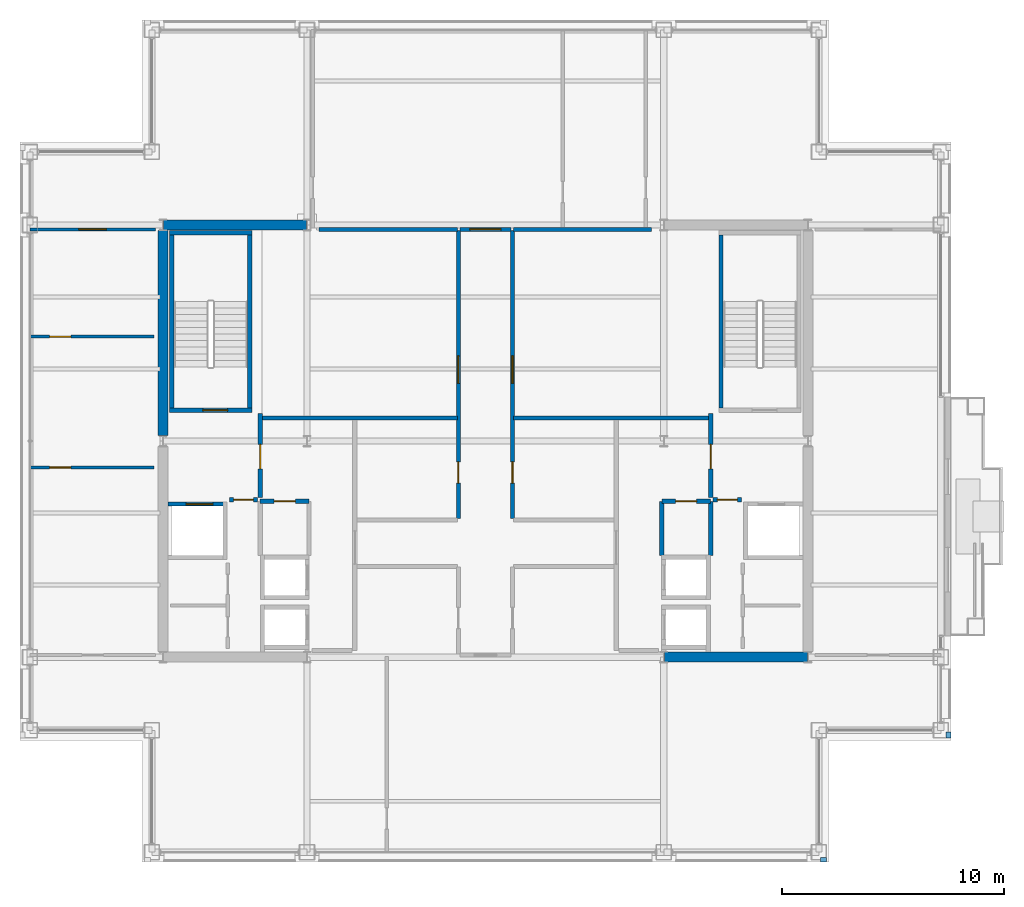
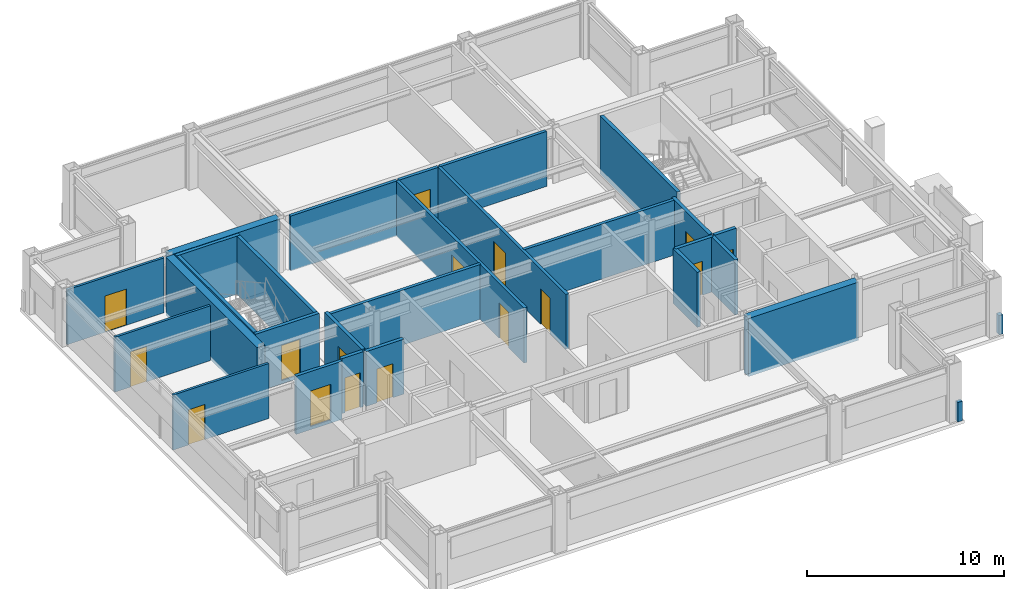
# One storey, part 25 of 28: 29 walls, 16 doors, 16 openings.
"""IFC4 building model written with IfcOpenShell, lengths in metres."""

from ifc_helpers import new_model, si_unit, direction, frame, frame_2d, origin, place, context, subcontext, project, spatial, rectangle, extrude, material, layer, layer_set, type_object, element, fill, save


model = new_model("IFC4")

# Units and contexts
model_context = context("Model", 3, precision=1e-05, world=origin(), true_north=direction((0.0, 1.0)))
body_context = subcontext(model_context, "Body", "Model", "MODEL_VIEW")
ifc_project = project(units=[si_unit("LENGTHUNIT", "METRE"), si_unit("AREAUNIT", "SQUARE_METRE"), si_unit("VOLUMEUNIT", "CUBIC_METRE"), si_unit("PLANEANGLEUNIT", "RADIAN"), si_unit("MASSUNIT", "GRAM", prefix="KILO")], contexts=[model_context])

# Site, building, storey
site_placement = place(None, origin())
site = spatial("IfcSite", under=ifc_project, at=site_placement, CompositionType="ELEMENT")
building_placement = place(site_placement, origin())
building = spatial("IfcBuilding", under=site, at=building_placement, Name="Brelmoor Portico Tower", CompositionType="ELEMENT")
storey_placement = place(building_placement, frame((0.0, 0.0, 191.10009765625)))
storey = spatial("IfcBuildingStorey", under=building, at=storey_placement, Name="L50", CompositionType="ELEMENT", Elevation=191.10009765625)

# Walls
ifc_material_1 = material(Name="Concrete C50", Category="concrete")
ifc_layer_1 = layer(ifc_material_1, 0.449951171875)
ifc_layer_set_1 = layer_set([ifc_layer_1], Name="Concrete C50")
wall_type_1 = type_object("IfcWallType", Name="WL-CORE-450", PredefinedType="SHEAR", material=ifc_layer_set_1)
wall_1_placement = place(storey_placement, frame((-14.530029296875, 9.75, -0.2001953125), z_axis=(0.0, 0.0, 1.0), x_axis=(1.0, 0.0, 0.0)))
element("IfcWall", 1, at=wall_1_placement, inside=storey, type_object=wall_type_1, Name="L50 WC North Shear Wall", PredefinedType="SHEAR", context=body_context, shape_type="SweptSolid", body=[
    extrude(rectangle(XDim=6.4599609375, YDim=0.449951171875, at=frame_2d((3.22998046875, 0.0))), origin(), (0.0, 0.0, 1.0), 3.60009765625),
])
wall_2_placement = place(storey_placement, frame((-14.550048828125, 0.25, -0.2001953125), z_axis=(0.0, 0.0, 1.0), x_axis=(0.0, 1.0, 0.0)))
element("IfcWall", 2, at=wall_2_placement, inside=storey, type_object=wall_type_1, Name="L50 WC Outer North Shear Wall", PredefinedType="SHEAR", context=body_context, shape_type="SweptSolid", body=[
    extrude(rectangle(XDim=9.25, YDim=0.449951171875, at=frame_2d((4.625, 0.0))), origin(), (0.0, 0.0, 1.0), 3.60009765625),
])
wall_3_placement = place(storey_placement, frame((8.070068359375, -9.75, -0.2001953125), z_axis=(0.0, 0.0, 1.0), x_axis=(1.0, 0.0, 0.0)))
element("IfcWall", 3, at=wall_3_placement, inside=storey, type_object=wall_type_1, Name="L50 EC South Shear Wall", PredefinedType="SHEAR", context=body_context, shape_type="SweptSolid", body=[
    extrude(rectangle(XDim=6.4599609375, YDim=0.449951171875, at=frame_2d((3.22998046875, 0.0))), origin(), (0.0, 0.0, 1.0), 3.60009765625),
])
ifc_material_2 = material(Name="Concrete C40 Parapet Upstand", Category="concrete")
ifc_layer_2 = layer(ifc_material_2, 0.219970703125)
ifc_layer_set_2 = layer_set([ifc_layer_2], Name="Concrete C40 Parapet Upstand")
wall_type_2 = type_object("IfcWallType", Name="WL-PARAPET-220", PredefinedType="PARAPET", material=ifc_layer_set_2)
for number, where, z_axis, x_axis, name in (
    (4, (15.1201171875, -18.889892578125, 0.0), (0.0, 0.0, 1.0), (1.0, 0.0, 0.0), "L50 Chamfer Vertex Parapet Pier SE1"),
    (5, (20.889892578125, -13.389892578125, 0.0), (0.0, 0.0, 1.0), (0.0, 1.0, 0.0), "L50 Chamfer Vertex Parapet Pier SE2"),
):
    element("IfcWall", number, at=place(storey_placement, frame(where, z_axis=z_axis, x_axis=x_axis)), inside=storey, type_object=wall_type_2, Name=name, PredefinedType="PARAPET", context=body_context, shape_type="SweptSolid", body=[
        extrude(rectangle(XDim=0.269775390625, YDim=0.219970703125, at=frame_2d((0.134765625, 0.0))), origin(), (0.0, 0.0, 1.0), 1.199951171875),
    ])

# Wall, opening, door
ifc_material_3 = material(Name="Insulated Stud Suite Partition", Category="gypsum")
ifc_layer_3 = layer(ifc_material_3, 0.139892578125)
ifc_layer_set_3 = layer_set([ifc_layer_3], Name="Insulated Stud Suite Partition")
wall_type_3 = type_object("IfcWallType", Name="WL-PART-140", PredefinedType="PARTITIONING", material=ifc_layer_set_3)
wall_4_placement = place(storey_placement, frame((-20.56005859375, 9.550048828125, 0.0), z_axis=(0.0, 0.0, 1.0), x_axis=(1.0, 0.0, 0.0)))
wall_4 = element("IfcWall", 6, at=wall_4_placement, inside=storey, type_object=wall_type_3, Name="L50 North Wing Suite Wall WL", PredefinedType="PARTITIONING", context=body_context, shape_type="SweptSolid", body=[
    extrude(rectangle(XDim=5.68017578125, YDim=0.139892578125, at=frame_2d((2.840087890625, 0.0))), origin(), (0.0, 0.0, 1.0), 3.39990234375),
])
opening_1_placement = place(wall_4_placement, frame((2.219970703125, 0.0, 0.0)))
opening_1 = element("IfcOpeningElement", 7, at=opening_1_placement, cuts=wall_4, Name="Opening D-SU1", PredefinedType="OPENING", context=body_context, shape_type="SweptSolid", body=[
    extrude(rectangle(XDim=1.239990234375, YDim=2.239990234375, at=frame_2d((0.6201171875, 1.1201171875))), frame((0.0, 0.079833984375, 0.0), z_axis=(0.0, -1.0, 0.0), x_axis=(1.0, 0.0, 0.0)), (0.0, 0.0, 1.0), 0.159912109375),
])
ifc_material_4 = material(Name="Glazed Timber Executive Suite Door", Category="wood")
door_type_1 = type_object("IfcDoorType", Name="DR-SUITE-1200", OperationType="NOTDEFINED", PredefinedType="DOOR", material=ifc_material_4)
door_1_placement = place(opening_1_placement, origin())
door_1 = element("IfcDoor", 8, at=door_1_placement, inside=storey, type_object=door_type_1, Name="D-2125 L50 WL Wing Suite Connecting Door", OperationType="SINGLE_SWING_LEFT", OverallHeight=2.239990234375, OverallWidth=1.239990234375, PredefinedType="DOOR", context=body_context, shape_type="SweptSolid", body=[
    extrude(rectangle(XDim=1.239990234375, YDim=2.239990234375, at=frame_2d((0.6201171875, 1.1201171875))), frame((0.0, 0.02490234375, 0.0), z_axis=(0.0, -1.0, 0.0), x_axis=(1.0, 0.0, 0.0)), (0.0, 0.0, 1.0), 0.050048828125),
])
fill(opening_1, door_1)

wall_5_placement = place(storey_placement, frame((-20.56005859375, -1.1923828125, 0.0), z_axis=(0.0, 0.0, 1.0), x_axis=(1.0, 0.0, 0.0)))
wall_5 = element("IfcWall", 9, at=wall_5_placement, inside=storey, type_object=wall_type_3, Name="L50 W Wing Partition 1", PredefinedType="PARTITIONING", context=body_context, shape_type="SweptSolid", body=[
    extrude(rectangle(XDim=5.60009765625, YDim=0.139892578125, at=frame_2d((2.800048828125, 0.0))), origin(), (0.0, 0.0, 1.0), 3.39990234375),
])
opening_2_placement = place(wall_5_placement, frame((0.89990234375, 0.0, 0.0)))
opening_2 = element("IfcOpeningElement", 10, at=opening_2_placement, cuts=wall_5, Name="Opening D-IN2", PredefinedType="OPENING", context=body_context, shape_type="SweptSolid", body=[
    extrude(rectangle(XDim=0.9599609375, YDim=2.179931640625, at=frame_2d((0.47998046875, 1.08984375))), frame((0.0, 0.079833984375, 0.0), z_axis=(0.0, -1.0, 0.0), x_axis=(1.0, 0.0, 0.0)), (0.0, 0.0, 1.0), 0.159912109375),
])
ifc_material_5 = material(Name="Lacquered Timber Suite Door", Category="wood")
door_type_2 = type_object("IfcDoorType", Name="DR-INT-950", OperationType="NOTDEFINED", PredefinedType="DOOR", material=ifc_material_5)
door_2_placement = place(opening_2_placement, origin())
door_2 = element("IfcDoor", 11, at=door_2_placement, inside=storey, type_object=door_type_2, Name="D-2133 L50 W Wing Suite Connecting Door 1", OperationType="SINGLE_SWING_LEFT", OverallHeight=2.179931640625, OverallWidth=0.9599609375, PredefinedType="DOOR", context=body_context, shape_type="SweptSolid", body=[
    extrude(rectangle(XDim=0.9599609375, YDim=2.179931640625, at=frame_2d((0.47998046875, 1.08984375))), frame((0.0, 0.02490234375, 0.0), z_axis=(0.0, -1.0, 0.0), x_axis=(1.0, 0.0, 0.0)), (0.0, 0.0, 1.0), 0.050048828125),
])
fill(opening_2, door_2)

wall_6_placement = place(storey_placement, frame((-20.56005859375, 4.7099609375, 0.0), z_axis=(0.0, 0.0, 1.0), x_axis=(1.0, 0.0, 0.0)))
wall_6 = element("IfcWall", 12, at=wall_6_placement, inside=storey, type_object=wall_type_3, Name="L50 W Wing Partition 2", PredefinedType="PARTITIONING", context=body_context, shape_type="SweptSolid", body=[
    extrude(rectangle(XDim=5.60009765625, YDim=0.139892578125, at=frame_2d((2.800048828125, 0.0))), origin(), (0.0, 0.0, 1.0), 3.39990234375),
])
opening_3_placement = place(wall_6_placement, frame((0.89990234375, 0.0, 0.0)))
opening_3 = element("IfcOpeningElement", 13, at=opening_3_placement, cuts=wall_6, Name="Opening D-IN2", PredefinedType="OPENING", context=body_context, shape_type="SweptSolid", body=[
    extrude(rectangle(XDim=0.9599609375, YDim=2.179931640625, at=frame_2d((0.47998046875, 1.08984375))), frame((0.0, 0.079833984375, 0.0), z_axis=(0.0, -1.0, 0.0), x_axis=(1.0, 0.0, 0.0)), (0.0, 0.0, 1.0), 0.159912109375),
])
door_3_placement = place(opening_3_placement, origin())
door_3 = element("IfcDoor", 14, at=door_3_placement, inside=storey, type_object=door_type_2, Name="D-2134 L50 W Wing Suite Connecting Door 2", OperationType="SINGLE_SWING_RIGHT", OverallHeight=2.179931640625, OverallWidth=0.9599609375, PredefinedType="DOOR", context=body_context, shape_type="SweptSolid", body=[
    extrude(rectangle(XDim=0.9599609375, YDim=2.179931640625, at=frame_2d((0.47998046875, 1.08984375))), frame((0.0, 0.02490234375, 0.0), z_axis=(0.0, -1.0, 0.0), x_axis=(1.0, 0.0, 0.0)), (0.0, 0.0, 1.0), 0.050048828125),
])
fill(opening_3, door_3)

# Wall
ifc_material_6 = material(Name="Acoustic Corridor Fire Partition", Category="gypsum")
ifc_layer_4 = layer(ifc_material_6, 0.179931640625)
ifc_layer_set_4 = layer_set([ifc_layer_4], Name="Acoustic Corridor Fire Partition")
wall_type_4 = type_object("IfcWallType", Name="WL-PART-180", PredefinedType="PARTITIONING", material=ifc_layer_set_4)
wall_7_placement = place(storey_placement, frame((-10.050048828125, 1.050048828125, 0.0), z_axis=(0.0, 0.0, 1.0), x_axis=(1.0, 0.0, 0.0)))
element("IfcWall", 15, at=wall_7_placement, inside=storey, type_object=wall_type_4, Name="L50 West Reclaimed Suite South Wall", PredefinedType="PARTITIONING", context=body_context, shape_type="SweptSolid", body=[
    extrude(rectangle(XDim=8.7900390625, YDim=0.179931640625, at=frame_2d((4.39501953125, 0.0))), origin(), (0.0, 0.0, 1.0), 3.39990234375),
])

# Wall, openings, doors
wall_8_placement = place(storey_placement, frame((-1.219970703125, -3.5, 0.0), z_axis=(0.0, 0.0, 1.0), x_axis=(0.0, 1.0, 0.0)))
wall_8 = element("IfcWall", 16, at=wall_8_placement, inside=storey, type_object=wall_type_4, Name="L50 Central Cross West Wall", PredefinedType="PARTITIONING", context=body_context, shape_type="SweptSolid", body=[
    extrude(rectangle(XDim=13.010009765625, YDim=0.179931640625, at=frame_2d((6.5048828125, 0.0))), origin(), (0.0, 0.0, 1.0), 3.39990234375),
])
opening_4_placement = place(wall_8_placement, frame((6.10009765625, 0.0, 0.0)))
opening_4 = element("IfcOpeningElement", 17, at=opening_4_placement, cuts=wall_8, Name="Opening D-SU1", PredefinedType="OPENING", context=body_context, shape_type="SweptSolid", body=[
    extrude(rectangle(XDim=1.239990234375, YDim=2.239990234375, at=frame_2d((0.6201171875, 1.1201171875))), frame((0.0, 0.099853515625, 0.0), z_axis=(0.0, -1.0, 0.0), x_axis=(1.0, 0.0, 0.0)), (0.0, 0.0, 1.0), 0.199951171875),
])
opening_5_placement = place(wall_8_placement, frame((1.60009765625, 0.0, 0.0)))
opening_5 = element("IfcOpeningElement", 18, at=opening_5_placement, cuts=wall_8, Name="Opening D-IN2", PredefinedType="OPENING", context=body_context, shape_type="SweptSolid", body=[
    extrude(rectangle(XDim=0.9599609375, YDim=2.179931640625, at=frame_2d((0.47998046875, 1.08984375))), frame((0.0, 0.099853515625, 0.0), z_axis=(0.0, -1.0, 0.0), x_axis=(1.0, 0.0, 0.0)), (0.0, 0.0, 1.0), 0.199951171875),
])
door_4_placement = place(opening_5_placement, origin())
door_4 = element("IfcDoor", 19, at=door_4_placement, inside=storey, type_object=door_type_2, Name="D-2106 L50 Staff Pantry Door", OperationType="SINGLE_SWING_LEFT", OverallHeight=2.179931640625, OverallWidth=0.9599609375, PredefinedType="DOOR", context=body_context, shape_type="SweptSolid", body=[
    extrude(rectangle(XDim=0.9599609375, YDim=2.179931640625, at=frame_2d((0.47998046875, 1.08984375))), frame((0.0, 0.02490234375, 0.0), z_axis=(0.0, -1.0, 0.0), x_axis=(1.0, 0.0, 0.0)), (0.0, 0.0, 1.0), 0.050048828125),
])
fill(opening_5, door_4)
door_5_placement = place(opening_4_placement, origin())
door_5 = element("IfcDoor", 20, at=door_5_placement, inside=storey, type_object=door_type_1, Name="D-2107 L50 West Reclaimed Studio Door", OperationType="SINGLE_SWING_RIGHT", OverallHeight=2.239990234375, OverallWidth=1.239990234375, PredefinedType="DOOR", context=body_context, shape_type="SweptSolid", body=[
    extrude(rectangle(XDim=1.239990234375, YDim=2.239990234375, at=frame_2d((0.6201171875, 1.1201171875))), frame((0.0, 0.02490234375, 0.0), z_axis=(0.0, -1.0, 0.0), x_axis=(1.0, 0.0, 0.0)), (0.0, 0.0, 1.0), 0.050048828125),
])
fill(opening_4, door_5)

# Walls
wall_9_placement = place(storey_placement, frame((-7.5, 9.550048828125, 0.0), z_axis=(0.0, 0.0, 1.0), x_axis=(1.0, 0.0, 0.0)))
element("IfcWall", 21, at=wall_9_placement, inside=storey, type_object=wall_type_4, Name="L50 West Reclaimed Suite North Wall", PredefinedType="PARTITIONING", context=body_context, shape_type="SweptSolid", body=[
    extrude(rectangle(XDim=6.239990234375, YDim=0.179931640625, at=frame_2d((3.1201171875, 0.0))), origin(), (0.0, 0.0, 1.0), 3.39990234375),
])
wall_10_placement = place(storey_placement, frame((1.260009765625, 1.050048828125, 0.0), z_axis=(0.0, 0.0, 1.0), x_axis=(1.0, 0.0, 0.0)))
element("IfcWall", 22, at=wall_10_placement, inside=storey, type_object=wall_type_4, Name="L50 East Suite South Wall", PredefinedType="PARTITIONING", context=body_context, shape_type="SweptSolid", body=[
    extrude(rectangle(XDim=8.800048828125, YDim=0.179931640625, at=frame_2d((4.39990234375, 0.0))), origin(), (0.0, 0.0, 1.0), 3.39990234375),
])

# Wall, openings, doors
wall_11_placement = place(storey_placement, frame((1.219970703125, -3.5, 0.0), z_axis=(0.0, 0.0, 1.0), x_axis=(0.0, 1.0, 0.0)))
wall_11 = element("IfcWall", 23, at=wall_11_placement, inside=storey, type_object=wall_type_4, Name="L50 Central Cross East Wall", PredefinedType="PARTITIONING", context=body_context, shape_type="SweptSolid", body=[
    extrude(rectangle(XDim=13.010009765625, YDim=0.179931640625, at=frame_2d((6.5048828125, 0.0))), origin(), (0.0, 0.0, 1.0), 3.39990234375),
])
opening_6_placement = place(wall_11_placement, frame((6.10009765625, 0.0, 0.0)))
opening_6 = element("IfcOpeningElement", 24, at=opening_6_placement, cuts=wall_11, Name="Opening D-SU1", PredefinedType="OPENING", context=body_context, shape_type="SweptSolid", body=[
    extrude(rectangle(XDim=1.239990234375, YDim=2.239990234375, at=frame_2d((0.6201171875, 1.1201171875))), frame((0.0, 0.099853515625, 0.0), z_axis=(0.0, -1.0, 0.0), x_axis=(1.0, 0.0, 0.0)), (0.0, 0.0, 1.0), 0.199951171875),
])
opening_7_placement = place(wall_11_placement, frame((1.60009765625, 0.0, 0.0)))
opening_7 = element("IfcOpeningElement", 25, at=opening_7_placement, cuts=wall_11, Name="Opening D-IN2", PredefinedType="OPENING", context=body_context, shape_type="SweptSolid", body=[
    extrude(rectangle(XDim=0.9599609375, YDim=2.179931640625, at=frame_2d((0.47998046875, 1.08984375))), frame((0.0, 0.099853515625, 0.0), z_axis=(0.0, -1.0, 0.0), x_axis=(1.0, 0.0, 0.0)), (0.0, 0.0, 1.0), 0.199951171875),
])
door_6_placement = place(opening_7_placement, origin())
door_6 = element("IfcDoor", 26, at=door_6_placement, inside=storey, type_object=door_type_2, Name="D-2102 L50 Client Project Office Door", OperationType="SINGLE_SWING_LEFT", OverallHeight=2.179931640625, OverallWidth=0.9599609375, PredefinedType="DOOR", context=body_context, shape_type="SweptSolid", body=[
    extrude(rectangle(XDim=0.9599609375, YDim=2.179931640625, at=frame_2d((0.47998046875, 1.08984375))), frame((0.0, 0.02490234375, 0.0), z_axis=(0.0, -1.0, 0.0), x_axis=(1.0, 0.0, 0.0)), (0.0, 0.0, 1.0), 0.050048828125),
])
fill(opening_7, door_6)
door_7_placement = place(opening_6_placement, origin())
door_7 = element("IfcDoor", 27, at=door_7_placement, inside=storey, type_object=door_type_1, Name="D-2103 L50 East Reclaimed Studio Door", OperationType="SINGLE_SWING_RIGHT", OverallHeight=2.239990234375, OverallWidth=1.239990234375, PredefinedType="DOOR", context=body_context, shape_type="SweptSolid", body=[
    extrude(rectangle(XDim=1.239990234375, YDim=2.239990234375, at=frame_2d((0.6201171875, 1.1201171875))), frame((0.0, 0.02490234375, 0.0), z_axis=(0.0, -1.0, 0.0), x_axis=(1.0, 0.0, 0.0)), (0.0, 0.0, 1.0), 0.050048828125),
])
fill(opening_6, door_7)

# Wall
wall_12_placement = place(storey_placement, frame((1.260009765625, 9.550048828125, 0.0), z_axis=(0.0, 0.0, 1.0), x_axis=(1.0, 0.0, 0.0)))
element("IfcWall", 28, at=wall_12_placement, inside=storey, type_object=wall_type_4, Name="L50 East Suite North Wall", PredefinedType="PARTITIONING", context=body_context, shape_type="SweptSolid", body=[
    extrude(rectangle(XDim=6.239990234375, YDim=0.179931640625, at=frame_2d((3.1201171875, 0.0))), origin(), (0.0, 0.0, 1.0), 3.39990234375),
])

# Wall, opening, door
wall_13_placement = place(storey_placement, frame((-1.14990234375, 9.550048828125, 0.0), z_axis=(0.0, 0.0, 1.0), x_axis=(1.0, 0.0, 0.0)))
wall_13 = element("IfcWall", 29, at=wall_13_placement, inside=storey, type_object=wall_type_4, Name="L50 North Corridor Partition", PredefinedType="PARTITIONING", context=body_context, shape_type="SweptSolid", body=[
    extrude(rectangle(XDim=2.2998046875, YDim=0.179931640625, at=frame_2d((1.14990234375, 0.0))), origin(), (0.0, 0.0, 1.0), 3.39990234375),
])
opening_8_placement = place(wall_13_placement, frame((0.449951171875, 0.0, 0.0)))
opening_8 = element("IfcOpeningElement", 30, at=opening_8_placement, cuts=wall_13, Name="Opening D-SU2", PredefinedType="OPENING", context=body_context, shape_type="SweptSolid", body=[
    extrude(rectangle(XDim=1.39990234375, YDim=2.199951171875, at=frame_2d((0.699951171875, 1.10009765625))), frame((0.0, 0.099853515625, 0.0), z_axis=(0.0, -1.0, 0.0), x_axis=(1.0, 0.0, 0.0)), (0.0, 0.0, 1.0), 0.199951171875),
])
ifc_material_7 = material(Name="Double-Leaf Acoustic Suite Door", Category="timber")
door_type_3 = type_object("IfcDoorType", Name="DR-SUITE-1400", OperationType="NOTDEFINED", PredefinedType="DOOR", material=ifc_material_7)
door_8_placement = place(opening_8_placement, origin())
door_8 = element("IfcDoor", 31, at=door_8_placement, inside=storey, type_object=door_type_3, Name="D-2120 L50 North Technical Archive Store 2 Door", OperationType="DOUBLE_DOOR_SINGLE_SWING", OverallHeight=2.199951171875, OverallWidth=1.39990234375, PredefinedType="DOOR", context=body_context, shape_type="SweptSolid", body=[
    extrude(rectangle(XDim=1.39990234375, YDim=2.199951171875, at=frame_2d((0.699951171875, 1.10009765625))), frame((0.0, 0.02490234375, 0.0), z_axis=(0.0, -1.0, 0.0), x_axis=(1.0, 0.0, 0.0)), (0.0, 0.0, 1.0), 0.050048828125),
])
fill(opening_8, door_8)

ifc_material_8 = material(Name="Double-Stud Gypsum Fire Partition", Category="gypsum")
ifc_layer_5 = layer(ifc_material_8, 0.199951171875)
ifc_layer_set_5 = layer_set([ifc_layer_5], Name="Double-Stud Gypsum Fire Partition")
wall_type_5 = type_object("IfcWallType", Name="WL-PART-200", PredefinedType="PARTITIONING", material=ifc_layer_set_5)
wall_14_placement = place(storey_placement, frame((-10.159912109375, -2.550048828125, 0.0), z_axis=(0.0, 0.0, 1.0), x_axis=(0.0, 1.0, 0.0)))
wall_14 = element("IfcWall", 32, at=wall_14_placement, inside=storey, type_object=wall_type_5, Name="L50 W Firefighting Lobby Wall", PredefinedType="PARTITIONING", context=body_context, shape_type="SweptSolid", body=[
    extrude(rectangle(XDim=3.800048828125, YDim=0.199951171875, at=frame_2d((1.89990234375, 0.0))), origin(), (0.0, 0.0, 1.0), 3.39990234375),
])
opening_9_placement = place(wall_14_placement, frame((1.300048828125, 0.0, 0.0)))
opening_9 = element("IfcOpeningElement", 33, at=opening_9_placement, cuts=wall_14, Name="Opening D-FR1", PredefinedType="OPENING", context=body_context, shape_type="SweptSolid", body=[
    extrude(rectangle(XDim=1.10009765625, YDim=2.14990234375, at=frame_2d((0.550048828125, 1.074951171875))), frame((0.0, 0.10986328125, 0.0), z_axis=(0.0, -1.0, 0.0), x_axis=(1.0, 0.0, 0.0)), (0.0, 0.0, 1.0), 0.219970703125),
])
ifc_material_9 = material(Name="Painted Galvanised Steel Fire Door", Category="steel")
door_type_4 = type_object("IfcDoorType", Name="DR-FIRE-1100", OperationType="NOTDEFINED", PredefinedType="DOOR", material=ifc_material_9)
door_9_placement = place(opening_9_placement, origin())
door_9 = element("IfcDoor", 34, at=door_9_placement, inside=storey, type_object=door_type_4, Name="D-2117 L50 W Firefighting Lobby Door", OperationType="SINGLE_SWING_RIGHT", OverallHeight=2.14990234375, OverallWidth=1.10009765625, PredefinedType="DOOR", context=body_context, shape_type="SweptSolid", body=[
    extrude(rectangle(XDim=1.10009765625, YDim=2.14990234375, at=frame_2d((0.550048828125, 1.074951171875))), frame((0.0, 0.02490234375, 0.0), z_axis=(0.0, -1.0, 0.0), x_axis=(1.0, 0.0, 0.0)), (0.0, 0.0, 1.0), 0.050048828125),
])
fill(opening_9, door_9)

wall_15_placement = place(storey_placement, frame((-10.280029296875, -2.64990234375, 0.0), z_axis=(0.0, 0.0, 1.0), x_axis=(-1.0, 0.0, 0.0)))
wall_15 = element("IfcWall", 35, at=wall_15_placement, inside=storey, type_object=wall_type_5, Name="L50 W Firefighting Lobby South Wall", PredefinedType="PARTITIONING", context=body_context, shape_type="SweptSolid", body=[
    extrude(rectangle(XDim=1.27001953125, YDim=0.199951171875, at=frame_2d((0.635009765625, 0.0))), origin(), (0.0, 0.0, 1.0), 3.39990234375),
])
opening_10_placement = place(wall_15_placement, frame((0.18505859375, 0.0, 0.0)))
opening_10 = element("IfcOpeningElement", 36, at=opening_10_placement, cuts=wall_15, Name="Opening D-IN1", PredefinedType="OPENING", context=body_context, shape_type="SweptSolid", body=[
    extrude(rectangle(XDim=0.89990234375, YDim=2.14990234375, at=frame_2d((0.449951171875, 1.074951171875))), frame((0.0, 0.10986328125, 0.0), z_axis=(0.0, -1.0, 0.0), x_axis=(1.0, 0.0, 0.0)), (0.0, 0.0, 1.0), 0.219970703125),
])
door_type_5 = type_object("IfcDoorType", Name="DR-INT-900", OperationType="NOTDEFINED", PredefinedType="DOOR", material=ifc_material_5)
door_10_placement = place(opening_10_placement, origin())
door_10 = element("IfcDoor", 37, at=door_10_placement, inside=storey, type_object=door_type_5, Name="D-2111 L50 W Core Service Vestibule Door", OperationType="SINGLE_SWING_LEFT", OverallHeight=2.14990234375, OverallWidth=0.89990234375, PredefinedType="DOOR", context=body_context, shape_type="SweptSolid", body=[
    extrude(rectangle(XDim=0.89990234375, YDim=2.14990234375, at=frame_2d((0.449951171875, 1.074951171875))), frame((0.0, 0.02490234375, 0.0), z_axis=(0.0, -1.0, 0.0), x_axis=(1.0, 0.0, 0.0)), (0.0, 0.0, 1.0), 0.050048828125),
])
fill(opening_10, door_10)

wall_16_placement = place(storey_placement, frame((-7.9599609375, -2.719970703125, 0.0), z_axis=(0.0, 0.0, 1.0), x_axis=(-1.0, 0.0, 0.0)))
wall_16 = element("IfcWall", 38, at=wall_16_placement, inside=storey, type_object=wall_type_5, Name="L50 W Electrical Switchgear Closet Wall", PredefinedType="PARTITIONING", context=body_context, shape_type="SweptSolid", body=[
    extrude(rectangle(XDim=2.199951171875, YDim=0.199951171875, at=frame_2d((1.10009765625, 0.0))), origin(), (0.0, 0.0, 1.0), 3.39990234375),
])
opening_11_placement = place(wall_16_placement, frame((0.6201171875, 0.0, 0.0)))
opening_11 = element("IfcOpeningElement", 39, at=opening_11_placement, cuts=wall_16, Name="Opening D-FR4", PredefinedType="OPENING", context=body_context, shape_type="SweptSolid", body=[
    extrude(rectangle(XDim=0.949951171875, YDim=2.10009765625, at=frame_2d((0.47509765625, 1.050048828125))), frame((0.0, 0.10986328125, 0.0), z_axis=(0.0, -1.0, 0.0), x_axis=(1.0, 0.0, 0.0)), (0.0, 0.0, 1.0), 0.219970703125),
])
ifc_material_10 = material(Name="Painted Galvanised Steel Riser Door", Category="steel")
door_type_6 = type_object("IfcDoorType", Name="DR-FIRE-950", OperationType="NOTDEFINED", PredefinedType="DOOR", material=ifc_material_10)
door_11_placement = place(opening_11_placement, origin())
door_11 = element("IfcDoor", 40, at=door_11_placement, inside=storey, type_object=door_type_6, Name="D-2115 L50 W Electrical Switchgear Closet Door", OperationType="SINGLE_SWING_RIGHT", OverallHeight=2.10009765625, OverallWidth=0.949951171875, PredefinedType="DOOR", context=body_context, shape_type="SweptSolid", body=[
    extrude(rectangle(XDim=0.949951171875, YDim=2.10009765625, at=frame_2d((0.47509765625, 1.050048828125))), frame((0.0, 0.02490234375, 0.0), z_axis=(0.0, -1.0, 0.0), x_axis=(1.0, 0.0, 0.0)), (0.0, 0.0, 1.0), 0.050048828125),
])
fill(opening_11, door_11)

wall_17_placement = place(storey_placement, frame((10.159912109375, -2.550048828125, 0.0), z_axis=(0.0, 0.0, 1.0), x_axis=(0.0, 1.0, 0.0)))
wall_17 = element("IfcWall", 41, at=wall_17_placement, inside=storey, type_object=wall_type_5, Name="L50 E Firefighting Lobby Wall", PredefinedType="PARTITIONING", context=body_context, shape_type="SweptSolid", body=[
    extrude(rectangle(XDim=3.800048828125, YDim=0.199951171875, at=frame_2d((1.89990234375, 0.0))), origin(), (0.0, 0.0, 1.0), 3.39990234375),
])
opening_12_placement = place(wall_17_placement, frame((1.300048828125, 0.0, 0.0)))
opening_12 = element("IfcOpeningElement", 42, at=opening_12_placement, cuts=wall_17, Name="Opening D-FR1", PredefinedType="OPENING", context=body_context, shape_type="SweptSolid", body=[
    extrude(rectangle(XDim=1.10009765625, YDim=2.14990234375, at=frame_2d((0.550048828125, 1.074951171875))), frame((0.0, 0.10986328125, 0.0), z_axis=(0.0, -1.0, 0.0), x_axis=(1.0, 0.0, 0.0)), (0.0, 0.0, 1.0), 0.219970703125),
])
door_12_placement = place(opening_12_placement, origin())
door_12 = element("IfcDoor", 43, at=door_12_placement, inside=storey, type_object=door_type_4, Name="D-2116 L50 E Firefighting Lobby Door", OperationType="SINGLE_SWING_LEFT", OverallHeight=2.14990234375, OverallWidth=1.10009765625, PredefinedType="DOOR", context=body_context, shape_type="SweptSolid", body=[
    extrude(rectangle(XDim=1.10009765625, YDim=2.14990234375, at=frame_2d((0.550048828125, 1.074951171875))), frame((0.0, 0.02490234375, 0.0), z_axis=(0.0, -1.0, 0.0), x_axis=(1.0, 0.0, 0.0)), (0.0, 0.0, 1.0), 0.050048828125),
])
fill(opening_12, door_12)

wall_18_placement = place(storey_placement, frame((10.280029296875, -2.64990234375, 0.0), z_axis=(0.0, 0.0, 1.0), x_axis=(1.0, 0.0, 0.0)))
wall_18 = element("IfcWall", 44, at=wall_18_placement, inside=storey, type_object=wall_type_5, Name="L50 E Firefighting Lobby South Wall", PredefinedType="PARTITIONING", context=body_context, shape_type="SweptSolid", body=[
    extrude(rectangle(XDim=1.27001953125, YDim=0.199951171875, at=frame_2d((0.635009765625, 0.0))), origin(), (0.0, 0.0, 1.0), 3.39990234375),
])
opening_13_placement = place(wall_18_placement, frame((0.18505859375, 0.0, 0.0)))
opening_13 = element("IfcOpeningElement", 45, at=opening_13_placement, cuts=wall_18, Name="Opening D-IN1", PredefinedType="OPENING", context=body_context, shape_type="SweptSolid", body=[
    extrude(rectangle(XDim=0.89990234375, YDim=2.14990234375, at=frame_2d((0.449951171875, 1.074951171875))), frame((0.0, 0.10986328125, 0.0), z_axis=(0.0, -1.0, 0.0), x_axis=(1.0, 0.0, 0.0)), (0.0, 0.0, 1.0), 0.219970703125),
])
door_13_placement = place(opening_13_placement, origin())
door_13 = element("IfcDoor", 46, at=door_13_placement, inside=storey, type_object=door_type_5, Name="D-2110 L50 E Core Service Vestibule Door", OperationType="SINGLE_SWING_RIGHT", OverallHeight=2.14990234375, OverallWidth=0.89990234375, PredefinedType="DOOR", context=body_context, shape_type="SweptSolid", body=[
    extrude(rectangle(XDim=0.89990234375, YDim=2.14990234375, at=frame_2d((0.449951171875, 1.074951171875))), frame((0.0, 0.02490234375, 0.0), z_axis=(0.0, -1.0, 0.0), x_axis=(1.0, 0.0, 0.0)), (0.0, 0.0, 1.0), 0.050048828125),
])
fill(opening_13, door_13)

wall_19_placement = place(storey_placement, frame((7.9599609375, -2.719970703125, 0.0), z_axis=(0.0, 0.0, 1.0), x_axis=(1.0, 0.0, 0.0)))
wall_19 = element("IfcWall", 47, at=wall_19_placement, inside=storey, type_object=wall_type_5, Name="L50 E Electrical Switchgear Closet Wall", PredefinedType="PARTITIONING", context=body_context, shape_type="SweptSolid", body=[
    extrude(rectangle(XDim=2.199951171875, YDim=0.199951171875, at=frame_2d((1.10009765625, 0.0))), origin(), (0.0, 0.0, 1.0), 3.39990234375),
])
opening_14_placement = place(wall_19_placement, frame((0.6201171875, 0.0, 0.0)))
opening_14 = element("IfcOpeningElement", 48, at=opening_14_placement, cuts=wall_19, Name="Opening D-FR4", PredefinedType="OPENING", context=body_context, shape_type="SweptSolid", body=[
    extrude(rectangle(XDim=0.949951171875, YDim=2.10009765625, at=frame_2d((0.47509765625, 1.050048828125))), frame((0.0, 0.10986328125, 0.0), z_axis=(0.0, -1.0, 0.0), x_axis=(1.0, 0.0, 0.0)), (0.0, 0.0, 1.0), 0.219970703125),
])
door_14_placement = place(opening_14_placement, origin())
door_14 = element("IfcDoor", 49, at=door_14_placement, inside=storey, type_object=door_type_6, Name="D-2114 L50 E Electrical Switchgear Closet Door", OperationType="SINGLE_SWING_LEFT", OverallHeight=2.10009765625, OverallWidth=0.949951171875, PredefinedType="DOOR", context=body_context, shape_type="SweptSolid", body=[
    extrude(rectangle(XDim=0.949951171875, YDim=2.10009765625, at=frame_2d((0.47509765625, 1.050048828125))), frame((0.0, 0.02490234375, 0.0), z_axis=(0.0, -1.0, 0.0), x_axis=(1.0, 0.0, 0.0)), (0.0, 0.0, 1.0), 0.050048828125),
])
fill(opening_14, door_14)

# Walls
for number, where, z_axis, x_axis, name in (
    (50, (7.9599609375, -5.159912109375, 0.0), (0.0, 0.0, 1.0), (0.0, 1.0, 0.0), "L50 E Electrical Switchgear Closet Inner Wall"),
    (51, (10.159912109375, -5.159912109375, 0.0), (0.0, 0.0, 1.0), (0.0, 1.0, 0.0), "L50 E Electrical Switchgear Closet Outer Wall"),
):
    element("IfcWall", number, at=place(storey_placement, frame(where, z_axis=z_axis, x_axis=x_axis)), inside=storey, type_object=wall_type_5, Name=name, PredefinedType="PARTITIONING", context=body_context, shape_type="SweptSolid", body=[
        extrude(rectangle(XDim=2.43994140625, YDim=0.199951171875, at=frame_2d((1.219970703125, 0.0))), origin(), (0.0, 0.0, 1.0), 3.39990234375),
    ])

# Wall, opening, door
ifc_material_11 = material(Name="Precast Concrete C40", Category="concrete")
ifc_layer_6 = layer(ifc_material_11, 0.18994140625)
ifc_layer_set_6 = layer_set([ifc_layer_6], Name="Precast Concrete C40")
wall_type_6 = type_object("IfcWallType", Name="WL-SHAFT-180", PredefinedType="SOLIDWALL", material=ifc_layer_set_6)
wall_20_placement = place(storey_placement, frame((-14.330078125, -2.844970703125, -0.2001953125), z_axis=(0.0, 0.0, 1.0), x_axis=(1.0, 0.0, 0.0)))
wall_20 = element("IfcWall", 52, at=wall_20_placement, inside=storey, type_object=wall_type_6, Name="L50 Lift FF1 Hoistway Front Wall", PredefinedType="SOLIDWALL", context=body_context, shape_type="SweptSolid", body=[
    extrude(rectangle(XDim=2.68017578125, YDim=0.18994140625, at=frame_2d((1.340087890625, 0.0))), origin(), (0.0, 0.0, 1.0), 3.60009765625),
])
opening_15_placement = place(wall_20_placement, frame((0.830078125, 0.0, 0.199951171875)))
opening_15 = element("IfcOpeningElement", 53, at=opening_15_placement, cuts=wall_20, Name="Opening LD-02", PredefinedType="OPENING", context=body_context, shape_type="SweptSolid", body=[
    extrude(rectangle(XDim=1.199951171875, YDim=2.199951171875, at=frame_2d((0.60009765625, 1.10009765625))), frame((0.0, 0.10498046875, 0.0), z_axis=(0.0, -1.0, 0.0), x_axis=(1.0, 0.0, 0.0)), (0.0, 0.0, 1.0), 0.2099609375),
])
ifc_material_12 = material(Name="Brushed Stainless Steel Firefighting Lift Door", Category="steel")
door_type_7 = type_object("IfcDoorType", Name="DR-LIFT-1200", OperationType="NOTDEFINED", PredefinedType="DOOR", material=ifc_material_12)
door_15_placement = place(opening_15_placement, origin())
door_15 = element("IfcDoor", 54, at=door_15_placement, inside=storey, type_object=door_type_7, Name="D-2135 L50 Lift FF1 Sliding Landing Door", OperationType="SLIDING_TO_LEFT", OverallHeight=2.199951171875, OverallWidth=1.199951171875, PredefinedType="DOOR", context=body_context, shape_type="SweptSolid", body=[
    extrude(rectangle(XDim=1.199951171875, YDim=2.199951171875, at=frame_2d((0.60009765625, 1.10009765625))), frame((0.0, 0.02490234375, 0.0), z_axis=(0.0, -1.0, 0.0), x_axis=(1.0, 0.0, 0.0)), (0.0, 0.0, 1.0), 0.050048828125),
])
fill(opening_15, door_15)

# Wall
ifc_material_13 = material(Name="Concrete C40", Category="concrete")
ifc_layer_7 = layer(ifc_material_13, 0.199951171875)
ifc_layer_set_7 = layer_set([ifc_layer_7], Name="Concrete C40")
wall_type_7 = type_object("IfcWallType", Name="WL-SHAFT-RC200", PredefinedType="SOLIDWALL", material=ifc_layer_set_7)
wall_21_placement = place(storey_placement, frame((-14.14990234375, 1.5, -0.2001953125), z_axis=(0.0, 0.0, 1.0), x_axis=(0.0, 1.0, 0.0)))
element("IfcWall", 55, at=wall_21_placement, inside=storey, type_object=wall_type_7, Name="L50 ST-W Structural Stair Wall Outer", PredefinedType="SOLIDWALL", context=body_context, shape_type="SweptSolid", body=[
    extrude(rectangle(XDim=7.800048828125, YDim=0.199951171875, at=frame_2d((3.89990234375, 0.0))), origin(), (0.0, 0.0, 1.0), 3.60009765625),
])

# Wall, opening, door
wall_22_placement = place(storey_placement, frame((-14.25, 1.39990234375, -0.2001953125), z_axis=(0.0, 0.0, 1.0), x_axis=(1.0, 0.0, 0.0)))
wall_22 = element("IfcWall", 56, at=wall_22_placement, inside=storey, type_object=wall_type_7, Name="L50 ST-W Structural Stair Wall S", PredefinedType="SOLIDWALL", context=body_context, shape_type="SweptSolid", body=[
    extrude(rectangle(XDim=3.719970703125, YDim=0.199951171875, at=frame_2d((1.85986328125, 0.0))), origin(), (0.0, 0.0, 1.0), 3.60009765625),
])
opening_16_placement = place(wall_22_placement, frame((1.5, 0.0, 0.199951171875)))
opening_16 = element("IfcOpeningElement", 57, at=opening_16_placement, cuts=wall_22, Name="Opening D-ST1", PredefinedType="OPENING", context=body_context, shape_type="SweptSolid", body=[
    extrude(rectangle(XDim=1.1201171875, YDim=2.179931640625, at=frame_2d((0.56005859375, 1.08984375))), frame((0.0, 0.10986328125, 0.0), z_axis=(0.0, -1.0, 0.0), x_axis=(1.0, 0.0, 0.0)), (0.0, 0.0, 1.0), 0.219970703125),
])
door_type_8 = type_object("IfcDoorType", Name="DR-STAIR-1100", OperationType="NOTDEFINED", PredefinedType="DOOR", material=ifc_material_9)
door_16_placement = place(opening_16_placement, origin())
door_16 = element("IfcDoor", 58, at=door_16_placement, inside=storey, type_object=door_type_8, Name="D-2129 L50 ST-W Protected Exit Stair Door", OperationType="SINGLE_SWING_LEFT", OverallHeight=2.179931640625, OverallWidth=1.1201171875, PredefinedType="DOOR", context=body_context, shape_type="SweptSolid", body=[
    extrude(rectangle(XDim=1.1201171875, YDim=2.179931640625, at=frame_2d((0.56005859375, 1.08984375))), frame((0.0, 0.02490234375, 0.0), z_axis=(0.0, -1.0, 0.0), x_axis=(1.0, 0.0, 0.0)), (0.0, 0.0, 1.0), 0.050048828125),
])
fill(opening_16, door_16)

# Walls
wall_23_placement = place(storey_placement, frame((-14.25, 9.39990234375, -0.2001953125), z_axis=(0.0, 0.0, 1.0), x_axis=(1.0, 0.0, 0.0)))
element("IfcWall", 59, at=wall_23_placement, inside=storey, type_object=wall_type_7, Name="L50 ST-W Structural Stair Wall N", PredefinedType="SOLIDWALL", context=body_context, shape_type="SweptSolid", body=[
    extrude(rectangle(XDim=3.719970703125, YDim=0.199951171875, at=frame_2d((1.85986328125, 0.0))), origin(), (0.0, 0.0, 1.0), 3.60009765625),
])
for number, where, z_axis, x_axis, name in (
    (60, (-10.6298828125, 1.5, -0.2001953125), (0.0, 0.0, 1.0), (0.0, 1.0, 0.0), "L50 ST-W Structural Stair Wall Inner"),
    (61, (10.6298828125, 1.5, -0.2001953125), (0.0, 0.0, 1.0), (0.0, 1.0, 0.0), "L50 ST-E Structural Stair Wall Inner"),
):
    element("IfcWall", number, at=place(storey_placement, frame(where, z_axis=z_axis, x_axis=x_axis)), inside=storey, type_object=wall_type_7, Name=name, PredefinedType="SOLIDWALL", context=body_context, shape_type="SweptSolid", body=[
        extrude(rectangle(XDim=7.800048828125, YDim=0.199951171875, at=frame_2d((3.89990234375, 0.0))), origin(), (0.0, 0.0, 1.0), 3.60009765625),
    ])

save(model, "model.ifc")
